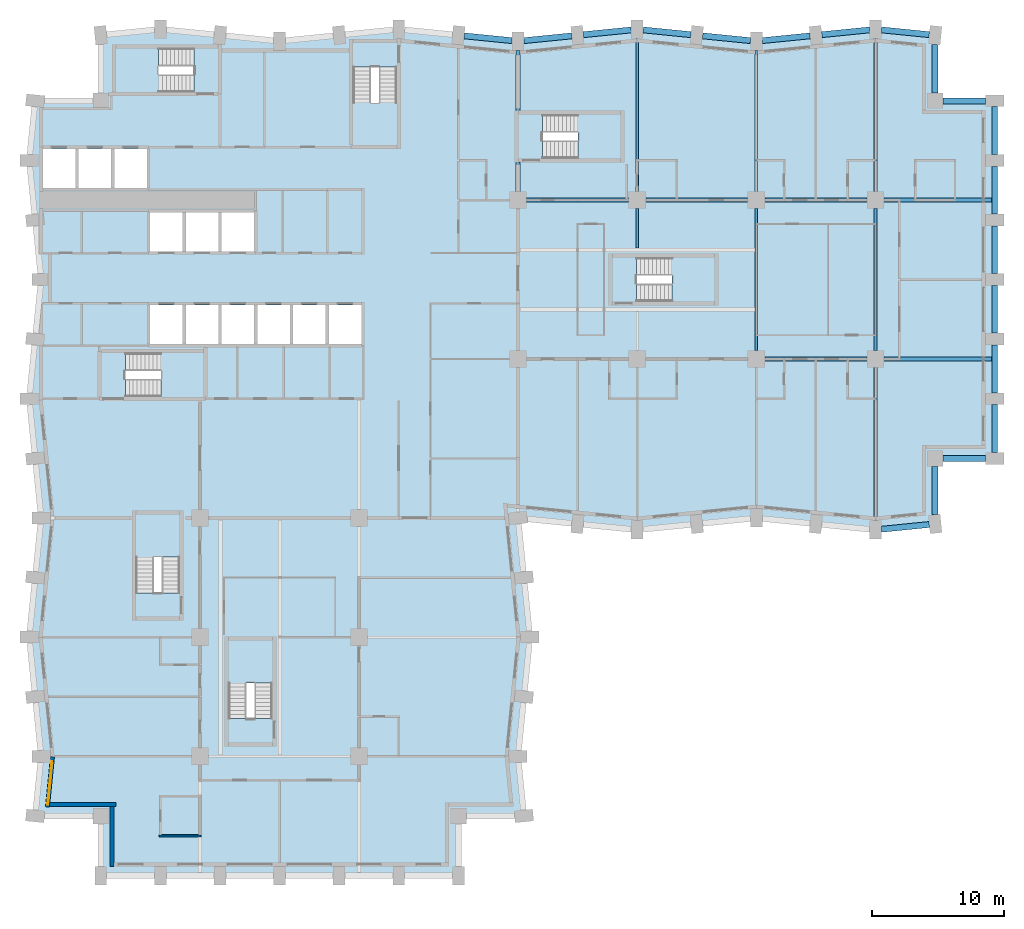
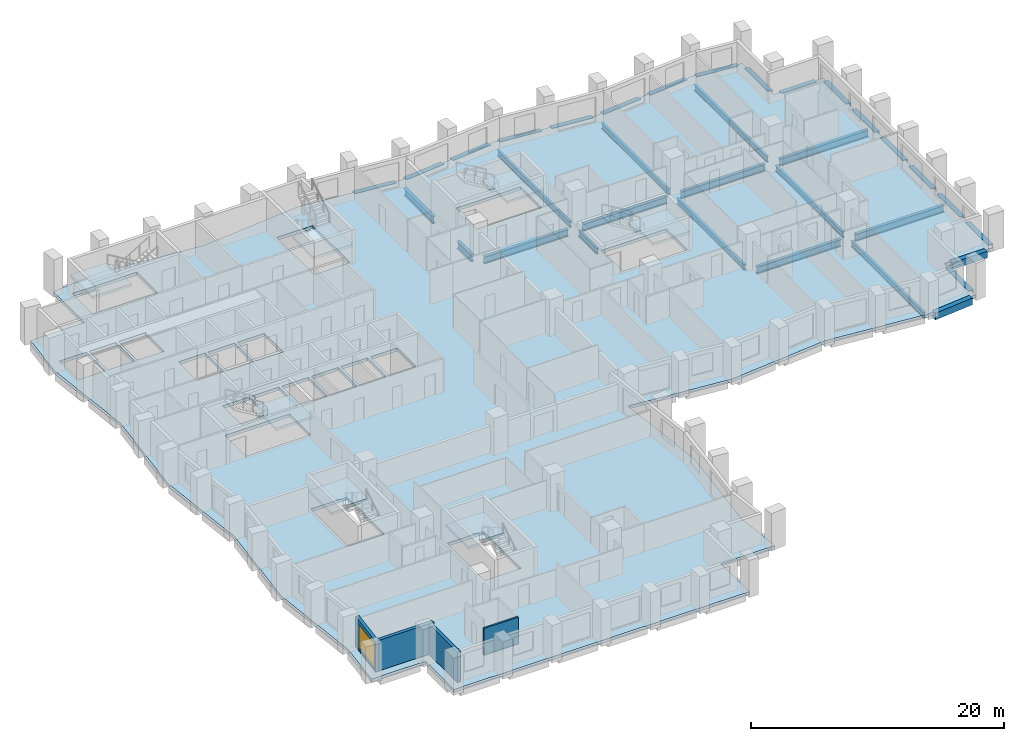
# One storey, part 2 of 13: 34 beams, 8 slabs, 4 walls, 1 window, 1 opening, 7 elements without a shape of their own.
"""IFC4 building model written with IfcOpenShell, lengths in metres."""

import ifcopenshell
import ifcopenshell.guid

model = None  # the IFC model being written
_history = None  # IfcOwnerHistory: only IFC2X3 demands one
_inside = {}  # id of a spatial element -> (the spatial element, [elements in it])
_under = {}  # id of a project, library or spatial element -> (it, [spatial elements below it])
_declared = {}  # id of a project -> (the project, [libraries it declares])
_typed = {}  # id of a type object -> (the type object, [elements of that type])
_made_of = {}  # id of a material, layer set ... -> (it, [elements and type objects made of it])


def new_model(schema):
    """Start an empty IFC model of exactly this schema.

    Asked for "IFC4X3", IfcOpenShell would pick the latest addendum, in which some entities
    have other attributes; the version numbers below select the first issue.
    IFC2X3 requires an IfcOwnerHistory on every rooted entity: one is made here for all.
    """
    global model, _history
    if schema == "IFC4X3":
        model = ifcopenshell.file(schema_version=(4, 3, 0, 0))
    else:
        model = ifcopenshell.file(schema=schema)
    _inside.clear()
    _under.clear()
    _declared.clear()
    _typed.clear()
    _made_of.clear()
    _history = None
    if model.schema == "IFC2X3":
        org = make("IfcOrganization", Name="unknown")
        user = make(
            "IfcPersonAndOrganization",
            ThePerson=make("IfcPerson", FamilyName="unknown"),
            TheOrganization=org,
        )
        app = make(
            "IfcApplication",
            ApplicationDeveloper=org,
            Version="unknown",
            ApplicationFullName="unknown",
            ApplicationIdentifier="unknown",
        )
        _history = make(
            "IfcOwnerHistory",
            OwningUser=user,
            OwningApplication=app,
            ChangeAction="ADDED",
            CreationDate=0,
        )
    return model


def make(cls, **values):
    """One entity of the class cls with the attributes given. An attribute that is None is left unset."""
    return model.create_entity(
        cls, **{name: value for name, value in values.items() if value is not None}
    )


def rooted(cls, **values):
    """An entity with a GlobalId (a new one), such as an element, a storey or a relation."""
    return make(cls, GlobalId=ifcopenshell.guid.new(), OwnerHistory=_history, **values)


def si_unit(unit_type, name, prefix=None):
    """IfcSIUnit, for example si_unit("LENGTHUNIT", "METRE", prefix="MILLI")."""
    return make("IfcSIUnit", UnitType=unit_type, Prefix=prefix, Name=name)


def assignment(units):
    """IfcUnitAssignment: the units of a project."""
    return None if units is None else make("IfcUnitAssignment", Units=units)


def point(xyz):
    """IfcCartesianPoint."""
    return None if xyz is None else make("IfcCartesianPoint", Coordinates=xyz)


def direction(xyz):
    """IfcDirection."""
    return None if xyz is None else make("IfcDirection", DirectionRatios=xyz)


def frame(location, z_axis=None, x_axis=None):
    """IfcAxis2Placement3D, a coordinate frame: its origin and axes. An axis left out is left unset."""
    return make(
        "IfcAxis2Placement3D",
        Location=point(location),
        Axis=direction(z_axis),
        RefDirection=direction(x_axis),
    )


def frame_2d(location, x_axis=None):
    """IfcAxis2Placement2D, a coordinate frame in the plane: its origin and x axis."""
    return make(
        "IfcAxis2Placement2D", Location=point(location), RefDirection=direction(x_axis)
    )


def origin():
    """The frame at (0, 0, 0) with its axes left unset."""
    return frame((0.0, 0.0, 0.0))


def origin_2d():
    """The frame at (0, 0) in the plane with its x axis left unset."""
    return frame_2d((0.0, 0.0))


def place(relative_to, where):
    """IfcLocalPlacement: puts the frame where relative to a parent placement (None: the world)."""
    return make(
        "IfcLocalPlacement", PlacementRelTo=relative_to, RelativePlacement=where
    )


def context(
    kind, dimensions, precision=None, world=None, true_north=None, identifier=None
):
    """IfcGeometricRepresentationContext, for example the 3D "Model" context."""
    return make(
        "IfcGeometricRepresentationContext",
        ContextIdentifier=identifier,
        ContextType=kind,
        CoordinateSpaceDimension=dimensions,
        Precision=precision,
        WorldCoordinateSystem=world,
        TrueNorth=true_north,
    )


def subcontext(parent, identifier, kind, view, scale=None):
    """IfcGeometricRepresentationSubContext, for example "Body" below "Model"."""
    return make(
        "IfcGeometricRepresentationSubContext",
        ContextIdentifier=identifier,
        ContextType=kind,
        ParentContext=parent,
        TargetScale=scale,
        TargetView=view,
    )


def project(units=None, contexts=None):
    """IfcProject with its units and contexts."""
    return rooted(
        "IfcProject",
        Name="project",
        RepresentationContexts=contexts,
        UnitsInContext=assignment(units),
    )


def spatial(cls, under=None, at=None, **own):
    """A site, building, storey or space (cls), placed at a placement, below another one or the project."""
    s = rooted(cls, ObjectPlacement=at, **own)
    if under is not None:
        _under.setdefault(under.id(), (under, []))[1].append(s)
    return s


def polyline(points):
    """IfcPolyline through the points."""
    return make("IfcPolyline", Points=[point(p) for p in points])


def profile(cls, at=None, kind="AREA", **sizes):
    """A parametric profile (cls). Its sizes go by their IFC names, for example OverallWidth=200.0."""
    return make(cls, ProfileType=kind, Position=at, **sizes)


def rectangle(**sizes):
    """IfcRectangleProfileDef."""
    return profile("IfcRectangleProfileDef", **sizes)


def i_section(**sizes):
    """IfcIShapeProfileDef."""
    return profile("IfcIShapeProfileDef", **sizes)


def outline(outer, holes=None, kind="AREA"):
    """IfcArbitraryClosedProfileDef: a profile drawn as a closed curve; with holes, ...WithVoids."""
    if holes is None:
        return make("IfcArbitraryClosedProfileDef", ProfileType=kind, OuterCurve=outer)
    return make(
        "IfcArbitraryProfileDefWithVoids",
        ProfileType=kind,
        OuterCurve=outer,
        InnerCurves=holes,
    )


def extrude(swept, where, along, depth):
    """IfcExtrudedAreaSolid: the profile swept, set in the frame where, extruded along a direction by depth."""
    return make(
        "IfcExtrudedAreaSolid",
        SweptArea=swept,
        Position=where,
        ExtrudedDirection=direction(along),
        Depth=depth,
    )


def shape(context_of_items, identifier, shape_type, items):
    """IfcShapeRepresentation: the items that make up one representation, for example the "Body"."""
    return make(
        "IfcShapeRepresentation",
        ContextOfItems=context_of_items,
        RepresentationIdentifier=identifier,
        RepresentationType=shape_type,
        Items=items,
    )


def material(Name=None, Category=None):
    """IfcMaterial."""
    return make("IfcMaterial", Name=Name, Category=Category)


def layer(
    of_material, thickness, ventilated=None, Name=None, Category=None, Priority=None
):
    """IfcMaterialLayer: one layer of a wall or slab, of a material (None: an air gap)."""
    return make(
        "IfcMaterialLayer",
        Material=of_material,
        LayerThickness=thickness,
        IsVentilated=ventilated,
        Name=Name,
        Category=Category,
        Priority=Priority,
    )


def layer_set(layers, Name=None):
    """IfcMaterialLayerSet."""
    return make("IfcMaterialLayerSet", MaterialLayers=layers, LayerSetName=Name)


def material_profile(
    of_material, cross_section, Name=None, Category=None, Priority=None
):
    """IfcMaterialProfile: a cross section and its material."""
    return make(
        "IfcMaterialProfile",
        Name=Name,
        Material=of_material,
        Profile=cross_section,
        Priority=Priority,
        Category=Category,
    )


def profile_set(profiles, Name=None, composite=None):
    """IfcMaterialProfileSet."""
    return make(
        "IfcMaterialProfileSet",
        Name=Name,
        MaterialProfiles=profiles,
        CompositeProfile=composite,
    )


def made_of(thing, what):
    """Note that an element or type object is made of a material, layer set ...; save() writes the relation."""
    if what is not None:
        _made_of.setdefault(what.id(), (what, []))[1].append(thing)
    return thing


def type_object(cls, material=None, **own):
    """A type object (cls), such as IfcWallType, which elements share."""
    return made_of(rooted(cls, **own), material)


def element(
    cls,
    number,
    at=None,
    inside=None,
    cuts=None,
    type_object=None,
    material=None,
    context=None,
    identifier="Body",
    shape_type=None,
    held_by="IfcProductDefinitionShape",
    body=None,
    shapes=None,
    **own,
):
    """One element of the class cls, such as IfcWall. Its Tag is "e" and its number.

    at: its placement. inside: the storey or other place that contains it. cuts: it is an
    opening in that element (IfcRelVoidsElement). A single representation is given by context,
    identifier, shape_type and body (its items); several are given by shapes. held_by: the class
    of the entity that holds the representations. save() writes the other relations.
    """
    e = rooted(cls, Tag="e%d" % number, ObjectPlacement=at, **own)
    if body is not None:
        shapes = [shape(context, identifier, shape_type, body)]
    if shapes is not None:
        e.Representation = make(held_by, Representations=shapes)
    if inside is not None:
        _inside.setdefault(inside.id(), (inside, []))[1].append(e)
    if cuts is not None:
        rooted(
            "IfcRelVoidsElement", RelatingBuildingElement=cuts, RelatedOpeningElement=e
        )
    if type_object is not None:
        _typed.setdefault(type_object.id(), (type_object, []))[1].append(e)
    return made_of(e, material)


def fill(opening, filler):
    """IfcRelFillsElement: the door or window that sits in an opening."""
    return rooted(
        "IfcRelFillsElement",
        RelatingOpeningElement=opening,
        RelatedBuildingElement=filler,
    )


def aggregate(whole, parts):
    """IfcRelAggregates: a whole, such as a stair, and the parts it consists of."""
    return rooted("IfcRelAggregates", RelatingObject=whole, RelatedObjects=parts)


def save(model, path):
    """Write the relations noted so far, then the file.

    IfcRelAggregates (storeys below a building ...), IfcRelContainedInSpatialStructure (elements
    in a storey), IfcRelDefinesByType, IfcRelAssociatesMaterial and IfcRelDeclares: one each for
    every whole, place, type object, material and project.
    """
    for whole, parts in _under.values():
        aggregate(whole, parts)
    for where, things in _inside.values():
        rooted(
            "IfcRelContainedInSpatialStructure",
            RelatedElements=things,
            RelatingStructure=where,
        )
    for kind, things in _typed.values():
        rooted("IfcRelDefinesByType", RelatedObjects=things, RelatingType=kind)
    for what, things in _made_of.values():
        rooted("IfcRelAssociatesMaterial", RelatedObjects=things, RelatingMaterial=what)
    for by, libraries in _declared.values():
        rooted("IfcRelDeclares", RelatingContext=by, RelatedDefinitions=libraries)
    model.write(path)


model = new_model("IFC4")

# Units and contexts
model_context = context("Model", 3, precision=1e-05, world=origin(), true_north=direction((0.0, 1.0)))
body_context = subcontext(model_context, "Body", "Model", "MODEL_VIEW")
ifc_project = project(units=[si_unit("LENGTHUNIT", "METRE"), si_unit("AREAUNIT", "SQUARE_METRE"), si_unit("VOLUMEUNIT", "CUBIC_METRE"), si_unit("PLANEANGLEUNIT", "RADIAN"), si_unit("MASSUNIT", "GRAM", prefix="KILO")], contexts=[model_context])

# Site, building, storey
site_placement = place(None, origin())
site = spatial("IfcSite", under=ifc_project, at=site_placement, CompositionType="ELEMENT")
building_placement = place(site_placement, origin())
building = spatial("IfcBuilding", under=site, at=building_placement, Name="Brondeck Convention Tower", CompositionType="ELEMENT")
storey_placement = place(building_placement, frame((0.0, 0.0, 73.5)))
storey = spatial("IfcBuildingStorey", under=building, at=storey_placement, Name="L16", CompositionType="ELEMENT", Elevation=73.5)

# Beams
ifc_material_1 = material(Name="Steel S355", Category="steel")
ifc_material_profile_1 = material_profile(ifc_material_1, i_section(OverallWidth=0.2099609375, OverallDepth=0.550048828125, WebThickness=0.010986328125, FlangeThickness=0.01708984375, FilletRadius=0.02392578125, at=origin_2d()), Name="IPE 550")
ifc_profile_set_1 = profile_set([ifc_material_profile_1], Name="Steel S355")
beam_type_1 = type_object("IfcBeamType", Name="Floor beam IPE 550", PredefinedType="BEAM", material=ifc_profile_set_1)
beam_1_placement = place(storey_placement, frame((45.0, 51.64990234375, -0.574951171875), z_axis=(0.0, 1.0, 0.0), x_axis=(-1.0, 0.0, 0.0)))
element("IfcBeam", 1, at=beam_1_placement, inside=storey, type_object=beam_type_1, Name="STR-FB-L16-002", PredefinedType="BEAM", context=body_context, shape_type="SweptSolid", body=[
    extrude(i_section(OverallWidth=0.2099609375, OverallDepth=0.550048828125, WebThickness=0.010986328125, FlangeThickness=0.01708984375, FilletRadius=0.02392578125, at=origin_2d()), origin(), (0.0, 0.0, 1.0), 11.550048828125),
])
beam_2_placement = place(storey_placement, frame((54.0, 39.64990234375, -0.574951171875), z_axis=(0.0, 1.0, 0.0), x_axis=(-1.0, 0.0, 0.0)))
element("IfcBeam", 2, at=beam_2_placement, inside=storey, type_object=beam_type_1, Name="STR-FB-L16-004", PredefinedType="BEAM", context=body_context, shape_type="SweptSolid", body=[
    extrude(i_section(OverallWidth=0.2099609375, OverallDepth=0.550048828125, WebThickness=0.010986328125, FlangeThickness=0.01708984375, FilletRadius=0.02392578125, at=origin_2d()), origin(), (0.0, 0.0, 1.0), 10.7001953125),
])
beam_3_placement = place(storey_placement, frame((54.0, 51.64990234375, -0.574951171875), z_axis=(0.0, 1.0, 0.0), x_axis=(-1.0, 0.0, 0.0)))
element("IfcBeam", 3, at=beam_3_placement, inside=storey, type_object=beam_type_1, Name="STR-FB-L16-005", PredefinedType="BEAM", context=body_context, shape_type="SweptSolid", body=[
    extrude(i_section(OverallWidth=0.2099609375, OverallDepth=0.550048828125, WebThickness=0.010986328125, FlangeThickness=0.01708984375, FilletRadius=0.02392578125, at=origin_2d()), origin(), (0.0, 0.0, 1.0), 10.650146484375),
])
beam_4_placement = place(storey_placement, frame((63.0, 26.800048828125, -0.574951171875), z_axis=(0.0, 1.0, 0.0), x_axis=(-1.0, 0.0, 0.0)))
element("IfcBeam", 4, at=beam_4_placement, inside=storey, type_object=beam_type_1, Name="STR-FB-L16-006", PredefinedType="BEAM", context=body_context, shape_type="SweptSolid", body=[
    extrude(i_section(OverallWidth=0.2099609375, OverallDepth=0.550048828125, WebThickness=0.010986328125, FlangeThickness=0.01708984375, FilletRadius=0.02392578125, at=origin_2d()), origin(), (0.0, 0.0, 1.0), 11.550048828125),
])
beam_5_placement = place(storey_placement, frame((63.0, 39.64990234375, -0.574951171875), z_axis=(0.0, 1.0, 0.0), x_axis=(-1.0, 0.0, 0.0)))
element("IfcBeam", 5, at=beam_5_placement, inside=storey, type_object=beam_type_1, Name="STR-FB-L16-007", PredefinedType="BEAM", context=body_context, shape_type="SweptSolid", body=[
    extrude(i_section(OverallWidth=0.2099609375, OverallDepth=0.550048828125, WebThickness=0.010986328125, FlangeThickness=0.01708984375, FilletRadius=0.02392578125, at=origin_2d()), origin(), (0.0, 0.0, 1.0), 10.7001953125),
])
beam_6_placement = place(storey_placement, frame((63.0, 51.64990234375, -0.574951171875), z_axis=(0.0, 1.0, 0.0), x_axis=(-1.0, 0.0, 0.0)))
element("IfcBeam", 6, at=beam_6_placement, inside=storey, type_object=beam_type_1, Name="STR-FB-L16-008", PredefinedType="BEAM", context=body_context, shape_type="SweptSolid", body=[
    extrude(i_section(OverallWidth=0.2099609375, OverallDepth=0.550048828125, WebThickness=0.010986328125, FlangeThickness=0.01708984375, FilletRadius=0.02392578125, at=origin_2d()), origin(), (0.0, 0.0, 1.0), 11.550048828125),
])
beam_7_placement = place(storey_placement, frame((45.0, 47.39990234375, -0.574951171875), z_axis=(0.0, 1.0, 0.0), x_axis=(-1.0, 0.0, 0.0)))
element("IfcBeam", 7, at=beam_7_placement, inside=storey, type_object=beam_type_1, Name="STR-FB-L16-015", PredefinedType="BEAM", context=body_context, shape_type="SweptSolid", body=[
    extrude(i_section(OverallWidth=0.2099609375, OverallDepth=0.550048828125, WebThickness=0.010986328125, FlangeThickness=0.01708984375, FilletRadius=0.02392578125, at=origin_2d()), origin(), (0.0, 0.0, 1.0), 2.9501953125),
])
ifc_material_profile_2 = material_profile(ifc_material_1, i_section(OverallWidth=0.300048828125, OverallDepth=0.699951171875, WebThickness=0.01708984375, FlangeThickness=0.031982421875, FilletRadius=0.027099609375, at=origin_2d()), Name="HEB 700")
ifc_profile_set_2 = profile_set([ifc_material_profile_2], Name="Steel S355")
beam_type_2 = type_object("IfcBeamType", Name="Girder HEB 700", PredefinedType="BEAM", material=ifc_profile_set_2)
beam_8_placement = place(storey_placement, frame((54.64990234375, 39.0, -0.64990234375), z_axis=(1.0, 0.0, 0.0), x_axis=(0.0, 1.0, 0.0)))
element("IfcBeam", 8, at=beam_8_placement, inside=storey, type_object=beam_type_2, Name="STR-GR-L16-003", PredefinedType="BEAM", context=body_context, shape_type="SweptSolid", body=[
    extrude(i_section(OverallWidth=0.300048828125, OverallDepth=0.699951171875, WebThickness=0.01708984375, FlangeThickness=0.031982421875, FilletRadius=0.027099609375, at=origin_2d()), origin(), (0.0, 0.0, 1.0), 7.7001953125),
])
beam_9_placement = place(storey_placement, frame((63.64990234375, 39.0, -0.64990234375), z_axis=(1.0, 0.0, 0.0), x_axis=(0.0, 1.0, 0.0)))
element("IfcBeam", 9, at=beam_9_placement, inside=storey, type_object=beam_type_2, Name="STR-GR-L16-004", PredefinedType="BEAM", context=body_context, shape_type="SweptSolid", body=[
    extrude(i_section(OverallWidth=0.300048828125, OverallDepth=0.699951171875, WebThickness=0.01708984375, FlangeThickness=0.031982421875, FilletRadius=0.027099609375, at=origin_2d()), origin(), (0.0, 0.0, 1.0), 8.125),
])
for number, where, z_axis, x_axis, name in (
    (10, (36.64990234375, 51.0, -0.64990234375), (1.0, 0.0, 0.0), (0.0, 1.0, 0.0), "STR-GR-L16-005"),
    (11, (45.64990234375, 51.0, -0.64990234375), (1.0, 0.0, 0.0), (0.0, 1.0, 0.0), "STR-GR-L16-006"),
    (12, (54.64990234375, 51.0, -0.64990234375), (1.0, 0.0, 0.0), (0.0, 1.0, 0.0), "STR-GR-L16-007"),
):
    element("IfcBeam", number, at=place(storey_placement, frame(where, z_axis=z_axis, x_axis=x_axis)), inside=storey, type_object=beam_type_2, Name=name, PredefinedType="BEAM", context=body_context, shape_type="SweptSolid", body=[
        extrude(i_section(OverallWidth=0.300048828125, OverallDepth=0.699951171875, WebThickness=0.01708984375, FlangeThickness=0.031982421875, FilletRadius=0.027099609375, at=origin_2d()), origin(), (0.0, 0.0, 1.0), 7.7001953125),
    ])
beam_10_placement = place(storey_placement, frame((63.64990234375, 51.0, -0.64990234375), z_axis=(1.0, 0.0, 0.0), x_axis=(0.0, 1.0, 0.0)))
element("IfcBeam", 13, at=beam_10_placement, inside=storey, type_object=beam_type_2, Name="STR-GR-L16-008", PredefinedType="BEAM", context=body_context, shape_type="SweptSolid", body=[
    extrude(i_section(OverallWidth=0.300048828125, OverallDepth=0.699951171875, WebThickness=0.01708984375, FlangeThickness=0.031982421875, FilletRadius=0.027099609375, at=origin_2d()), origin(), (0.0, 0.0, 1.0), 8.125),
])
beam_11_placement = place(storey_placement, frame((36.0, 51.64990234375, -0.64990234375), z_axis=(0.0, 1.0, 0.0), x_axis=(-1.0, 0.0, 0.0)))
element("IfcBeam", 14, at=beam_11_placement, inside=storey, type_object=beam_type_2, Name="STR-GR-L16-011", PredefinedType="BEAM", context=body_context, shape_type="SweptSolid", body=[
    extrude(i_section(OverallWidth=0.300048828125, OverallDepth=0.699951171875, WebThickness=0.01708984375, FlangeThickness=0.031982421875, FilletRadius=0.027099609375, at=origin_2d()), origin(), (0.0, 0.0, 1.0), 2.22998046875),
])
beam_12_placement = place(storey_placement, frame((36.0, 57.719970703125, -0.64990234375), z_axis=(0.0, 1.0, 0.0), x_axis=(-1.0, 0.0, 0.0)))
element("IfcBeam", 15, at=beam_12_placement, inside=storey, type_object=beam_type_2, Name="STR-GR-L16-012", PredefinedType="BEAM", context=body_context, shape_type="SweptSolid", body=[
    extrude(i_section(OverallWidth=0.300048828125, OverallDepth=0.699951171875, WebThickness=0.01708984375, FlangeThickness=0.031982421875, FilletRadius=0.027099609375, at=origin_2d()), origin(), (0.0, 0.0, 1.0), 4.580078125),
])
ifc_material_2 = material(Name="Concrete C80/95", Category="concrete")
ifc_material_profile_3 = material_profile(ifc_material_2, rectangle(XDim=0.449951171875, YDim=0.64990234375, at=origin_2d()), Name="Precast spandrel 450x650 Concrete C80/95")
ifc_profile_set_3 = profile_set([ifc_material_profile_3], Name="Concrete C80/95")
beam_type_3 = type_object("IfcBeamType", Name="Precast spandrel 450x650 Concrete C80/95", PredefinedType="SPANDREL", material=ifc_profile_set_3)
beam_13_placement = place(storey_placement, frame((63.449951171875, 26.14501953125, -0.324951171875), z_axis=(0.995040528141, 0.099470334057, 0.0), x_axis=(-0.099470334057, 0.995040528141, 0.0)))
element("IfcBeam", 16, at=beam_13_placement, inside=storey, type_object=beam_type_3, Name="STR-SP-L16-020", PredefinedType="SPANDREL", context=body_context, shape_type="SweptSolid", body=[
    extrude(rectangle(XDim=0.449951171875, YDim=0.64990234375, at=origin_2d()), origin(), (0.0, 0.0, 1.0), 3.620361328125),
])
beam_14_placement = place(storey_placement, frame((67.5, 27.25341796875, -0.324951171875), z_axis=(0.0, 1.0, 0.0), x_axis=(-1.0, 0.0, 0.0)))
element("IfcBeam", 17, at=beam_14_placement, inside=storey, type_object=beam_type_3, Name="STR-SP-L16-021", PredefinedType="SPANDREL", context=body_context, shape_type="SweptSolid", body=[
    extrude(rectangle(XDim=0.449951171875, YDim=0.64990234375, at=origin_2d()), origin(), (0.0, 0.0, 1.0), 3.646484375),
])
beam_15_placement = place(storey_placement, frame((68.10009765625, 31.5, -0.324951171875), z_axis=(1.0, 0.0, 0.0), x_axis=(0.0, 1.0, 0.0)))
element("IfcBeam", 18, at=beam_15_placement, inside=storey, type_object=beam_type_3, Name="STR-SP-L16-022", PredefinedType="SPANDREL", context=body_context, shape_type="SweptSolid", body=[
    extrude(rectangle(XDim=0.449951171875, YDim=0.64990234375, at=origin_2d()), origin(), (0.0, 0.0, 1.0), 3.199951171875),
])
for number, where, z_axis, x_axis, name in (
    (19, (72.0, 31.949951171875, -0.324951171875), (0.0, 1.0, 0.0), (-1.0, 0.0, 0.0), "STR-SP-L16-023"),
    (20, (72.0, 36.449951171875, -0.324951171875), (0.0, 1.0, 0.0), (-1.0, 0.0, 0.0), "STR-SP-L16-024"),
    (21, (72.0, 40.949951171875, -0.324951171875), (0.0, 1.0, 0.0), (-1.0, 0.0, 0.0), "STR-SP-L16-025"),
    (22, (72.0, 45.449951171875, -0.324951171875), (0.0, 1.0, 0.0), (-1.0, 0.0, 0.0), "STR-SP-L16-026"),
    (23, (72.0, 49.949951171875, -0.324951171875), (0.0, 1.0, 0.0), (-1.0, 0.0, 0.0), "STR-SP-L16-027"),
    (24, (72.0, 54.449951171875, -0.324951171875), (0.0, 1.0, 0.0), (-1.0, 0.0, 0.0), "STR-SP-L16-028"),
):
    element("IfcBeam", number, at=place(storey_placement, frame(where, z_axis=z_axis, x_axis=x_axis)), inside=storey, type_object=beam_type_3, Name=name, PredefinedType="SPANDREL", context=body_context, shape_type="SweptSolid", body=[
        extrude(rectangle(XDim=0.449951171875, YDim=0.64990234375, at=origin_2d()), origin(), (0.0, 0.0, 1.0), 3.60009765625),
    ])
beam_16_placement = place(storey_placement, frame((71.300048828125, 58.5, -0.324951171875), z_axis=(-1.0, 0.0, 0.0), x_axis=(0.0, -1.0, 0.0)))
element("IfcBeam", 25, at=beam_16_placement, inside=storey, type_object=beam_type_3, Name="STR-SP-L16-029", PredefinedType="SPANDREL", context=body_context, shape_type="SweptSolid", body=[
    extrude(rectangle(XDim=0.449951171875, YDim=0.64990234375, at=origin_2d()), origin(), (0.0, 0.0, 1.0), 3.199951171875),
])
beam_17_placement = place(storey_placement, frame((67.5, 59.10009765625, -0.324951171875), z_axis=(0.0, 1.0, 0.0), x_axis=(-1.0, 0.0, 0.0)))
element("IfcBeam", 26, at=beam_17_placement, inside=storey, type_object=beam_type_3, Name="STR-SP-L16-030", PredefinedType="SPANDREL", context=body_context, shape_type="SweptSolid", body=[
    extrude(rectangle(XDim=0.449951171875, YDim=0.64990234375, at=origin_2d()), origin(), (0.0, 0.0, 1.0), 3.646484375),
])
for number, where, z_axis, x_axis, name in (
    (27, (67.05224609375, 63.494873046875, -0.324951171875), (-0.995040528141, 0.099470334057, 0.0), (-0.099470334057, -0.995040528141, 0.0), "STR-SP-L16-031"),
    (28, (62.550048828125, 63.85498046875, -0.324951171875), (-0.995040528141, -0.099470334057, 0.0), (0.099470334057, -0.995040528141, 0.0), "STR-SP-L16-032"),
    (29, (58.05224609375, 63.4052734375, -0.324951171875), (-0.995033851182, -0.099537103649, 0.0), (0.099537103649, -0.995033851182, 0.0), "STR-SP-L16-033"),
    (30, (53.550048828125, 63.044921875, -0.324951171875), (-0.995033851182, 0.099537103649, 0.0), (-0.099537103649, -0.995033851182, 0.0), "STR-SP-L16-034"),
    (31, (49.05224609375, 63.494873046875, -0.324951171875), (-0.995040528141, 0.099470334057, 0.0), (-0.099470334057, -0.995040528141, 0.0), "STR-SP-L16-035"),
    (32, (44.550048828125, 63.85498046875, -0.324951171875), (-0.995040528141, -0.099470334057, 0.0), (0.099470334057, -0.995040528141, 0.0), "STR-SP-L16-036"),
    (33, (40.05224609375, 63.4052734375, -0.324951171875), (-0.995033851182, -0.099537103649, 0.0), (0.099537103649, -0.995033851182, 0.0), "STR-SP-L16-037"),
    (34, (35.550048828125, 63.044921875, -0.324951171875), (-0.995033851182, 0.099537103649, 0.0), (-0.099537103649, -0.995033851182, 0.0), "STR-SP-L16-038"),
):
    element("IfcBeam", number, at=place(storey_placement, frame(where, z_axis=z_axis, x_axis=x_axis)), inside=storey, type_object=beam_type_3, Name=name, PredefinedType="SPANDREL", context=body_context, shape_type="SweptSolid", body=[
        extrude(rectangle(XDim=0.449951171875, YDim=0.64990234375, at=origin_2d()), origin(), (0.0, 0.0, 1.0), 3.620361328125),
    ])

# Slab
ifc_material_3 = material(Name="Concrete C35/45", Category="concrete")
ifc_layer_1 = layer(ifc_material_3, 0.300048828125)
ifc_layer_set_1 = layer_set([ifc_layer_1], Name="Composite floor slab 300")
slab_type_1 = type_object("IfcSlabType", Name="Composite floor slab 300", PredefinedType="FLOOR", material=ifc_layer_set_1)
slab_1_placement = place(storey_placement, frame((0.0, 0.0, -0.300048828125)))
element("IfcSlab", 35, at=slab_1_placement, inside=storey, type_object=slab_type_1, Name="STR-SL-L16", PredefinedType="FLOOR", context=body_context, shape_type="SweptSolid", body=[
    extrude(outline(polyline([(4.5, 4.5), (-0.449951171875, 4.5), (0.0, 9.0), (-0.89990234375, 18.0), (0.0, 27.0), (-0.89990234375, 36.0), (0.0, 45.0), (-0.89990234375, 54.0), (-0.449951171875, 58.5), (4.5, 58.5), (4.5, 63.449951171875), (9.0, 63.89990234375), (18.0, 63.0), (27.0, 63.89990234375), (36.0, 63.0), (45.0, 63.89990234375), (54.0, 63.0), (63.0, 63.89990234375), (67.5, 63.449951171875), (67.5, 58.5), (72.0, 58.5), (72.0, 31.5), (67.5, 31.5), (67.5, 26.550048828125), (63.0, 26.10009765625), (54.0, 27.0), (45.0, 26.10009765625), (36.0, 27.0), (36.89990234375, 18.0), (36.0, 9.0), (36.449951171875, 4.5), (31.5, 4.5), (31.5, 0.0), (4.5, 0.0), (4.5, 4.5)]), holes=[polyline([(10.447998046875, 27.248046875), (7.152099609375, 27.248046875), (7.152099609375, 21.35205078125), (10.447998046875, 21.35205078125), (10.447998046875, 27.248046875)]), polyline([(12.248046875, 36.152099609375), (12.248046875, 39.447998046875), (6.35205078125, 39.447998046875), (6.35205078125, 36.152099609375), (12.248046875, 36.152099609375)]), polyline([(10.675048828125, 40.125), (10.675048828125, 43.074951171875), (8.22509765625, 43.074951171875), (8.22509765625, 40.125), (10.675048828125, 40.125)]), polyline([(13.375, 40.125), (13.375, 43.074951171875), (10.925048828125, 43.074951171875), (10.925048828125, 40.125), (13.375, 40.125)]), polyline([(10.675048828125, 47.125), (10.675048828125, 50.074951171875), (8.22509765625, 50.074951171875), (8.22509765625, 47.125), (10.675048828125, 47.125)]), polyline([(13.375, 47.125), (13.375, 50.074951171875), (10.925048828125, 50.074951171875), (10.925048828125, 47.125), (13.375, 47.125)]), polyline([(2.574951171875, 51.925048828125), (2.574951171875, 54.875), (0.125, 54.875), (0.125, 51.925048828125), (2.574951171875, 51.925048828125)]), polyline([(2.824951171875, 51.925048828125), (5.27490234375, 51.925048828125), (5.27490234375, 54.875), (2.824951171875, 54.875), (2.824951171875, 51.925048828125)]), polyline([(5.52490234375, 51.925048828125), (7.97509765625, 51.925048828125), (7.97509765625, 54.875), (5.52490234375, 54.875), (5.52490234375, 51.925048828125)]), polyline([(5.652099609375, 62.447998046875), (5.652099609375, 59.152099609375), (11.548095703125, 59.152099609375), (11.548095703125, 62.447998046875), (5.652099609375, 62.447998046875)]), polyline([(17.447998046875, 17.748046875), (14.152099609375, 17.748046875), (14.152099609375, 11.85205078125), (17.447998046875, 11.85205078125), (17.447998046875, 17.748046875)]), polyline([(16.074951171875, 40.125), (16.074951171875, 43.074951171875), (13.625, 43.074951171875), (13.625, 40.125), (16.074951171875, 40.125)]), polyline([(16.324951171875, 40.125), (18.77490234375, 40.125), (18.77490234375, 43.074951171875), (16.324951171875, 43.074951171875), (16.324951171875, 40.125)]), polyline([(19.02490234375, 40.125), (21.47509765625, 40.125), (21.47509765625, 43.074951171875), (19.02490234375, 43.074951171875), (19.02490234375, 40.125)]), polyline([(24.175048828125, 40.125), (24.175048828125, 43.074951171875), (21.72509765625, 43.074951171875), (21.72509765625, 40.125), (24.175048828125, 40.125)]), polyline([(50.847900390625, 43.35205078125), (50.847900390625, 46.64794921875), (44.951904296875, 46.64794921875), (44.951904296875, 43.35205078125), (50.847900390625, 43.35205078125)]), polyline([(16.074951171875, 47.125), (16.074951171875, 50.074951171875), (13.625, 50.074951171875), (13.625, 47.125), (16.074951171875, 47.125)]), polyline([(37.85205078125, 54.152099609375), (43.748046875, 54.152099609375), (43.748046875, 57.447998046875), (37.85205078125, 57.447998046875), (37.85205078125, 54.152099609375)]), polyline([(23.552001953125, 61.048095703125), (23.552001953125, 55.152099609375), (26.847900390625, 55.152099609375), (26.847900390625, 61.048095703125), (23.552001953125, 61.048095703125)])]), origin(), (0.0, 0.0, 1.0), 0.300048828125),
])

# Stair, slab
ifc_material_4 = material(Name="Precast concrete C50/60", Category="concrete")
stair_type = type_object("IfcStairType", Name="Core stair 20 risers 180.00 mm riser 300 mm going 1350 wide", PredefinedType="HALF_TURN_STAIR", material=ifc_material_4)
stair_1_placement = place(storey_placement, origin())
stair_1 = element("IfcStair", 36, at=stair_1_placement, inside=storey, type_object=stair_type, Name="ST-1 L16 stair", PredefinedType="HALF_TURN_STAIR")
ifc_layer_2 = layer(ifc_material_4, 0.25)
ifc_layer_set_2 = layer_set([ifc_layer_2], Name="Core stair landing 250 Precast concrete C50/60")
slab_type_2 = type_object("IfcSlabType", Name="Core stair landing 250 Precast concrete C50/60", PredefinedType="LANDING", material=ifc_layer_set_2)
slab_2_placement = place(storey_placement, frame((0.0, 0.0, 1.550048828125)))
slab_2 = element("IfcSlab", 37, at=slab_2_placement, type_object=slab_type_2, Name="ST-1 landing 1", PredefinedType="LANDING", context=body_context, shape_type="SweptSolid", body=[
    extrude(outline(polyline([(9.048095703125, 37.5), (9.050048828125, 37.5), (9.050048828125, 38.10009765625), (8.75, 38.10009765625), (8.75, 39.570068359375), (12.3701171875, 39.570068359375), (12.3701171875, 36.030029296875), (9.048095703125, 36.030029296875), (9.048095703125, 37.5)])), origin(), (0.0, 0.0, 1.0), 0.25),
])
aggregate(stair_1, [slab_2])

stair_2_placement = place(storey_placement, origin())
stair_2 = element("IfcStair", 38, at=stair_2_placement, inside=storey, type_object=stair_type, Name="ST-2 L16 stair", PredefinedType="HALF_TURN_STAIR")
slab_3_placement = place(storey_placement, frame((0.0, 0.0, 1.550048828125)))
slab_3 = element("IfcSlab", 39, at=slab_3_placement, type_object=slab_type_2, Name="ST-2 landing 1", PredefinedType="LANDING", context=body_context, shape_type="SweptSolid", body=[
    extrude(outline(polyline([(23.429931640625, 58.35205078125), (24.89990234375, 58.35205078125), (24.89990234375, 58.35009765625), (25.5, 58.35009765625), (25.5, 58.64990234375), (26.969970703125, 58.64990234375), (26.969970703125, 55.030029296875), (23.429931640625, 55.030029296875), (23.429931640625, 58.35205078125)])), origin(), (0.0, 0.0, 1.0), 0.25),
])
aggregate(stair_2, [slab_3])

stair_3_placement = place(storey_placement, origin())
stair_3 = element("IfcStair", 40, at=stair_3_placement, inside=storey, type_object=stair_type, Name="ST-3 L16 stair", PredefinedType="HALF_TURN_STAIR")
slab_4_placement = place(storey_placement, frame((0.0, 0.0, 1.550048828125)))
slab_4 = element("IfcSlab", 41, at=slab_4_placement, type_object=slab_type_2, Name="ST-3 landing 1", PredefinedType="LANDING", context=body_context, shape_type="SweptSolid", body=[
    extrude(outline(polyline([(9.14990234375, 60.5), (9.14990234375, 59.030029296875), (5.530029296875, 59.030029296875), (5.530029296875, 62.570068359375), (8.85205078125, 62.570068359375), (8.85205078125, 61.10009765625), (8.85009765625, 61.10009765625), (8.85009765625, 60.5), (9.14990234375, 60.5)])), origin(), (0.0, 0.0, 1.0), 0.25),
])
aggregate(stair_3, [slab_4])

stair_4_placement = place(storey_placement, origin())
stair_4 = element("IfcStair", 42, at=stair_4_placement, inside=storey, type_object=stair_type, Name="ST-AE L16 stair", PredefinedType="HALF_TURN_STAIR")
slab_5_placement = place(storey_placement, frame((0.0, 0.0, 1.550048828125)))
slab_5 = element("IfcSlab", 43, at=slab_5_placement, type_object=slab_type_2, Name="ST-AE landing 1", PredefinedType="LANDING", context=body_context, shape_type="SweptSolid", body=[
    extrude(outline(polyline([(40.548095703125, 55.5), (40.550048828125, 55.5), (40.550048828125, 56.10009765625), (40.25, 56.10009765625), (40.25, 57.570068359375), (43.8701171875, 57.570068359375), (43.8701171875, 54.030029296875), (40.548095703125, 54.030029296875), (40.548095703125, 55.5)])), origin(), (0.0, 0.0, 1.0), 0.25),
])
aggregate(stair_4, [slab_5])

stair_5_placement = place(storey_placement, origin())
stair_5 = element("IfcStair", 44, at=stair_5_placement, inside=storey, type_object=stair_type, Name="ST-BE L16 stair", PredefinedType="HALF_TURN_STAIR")
slab_6_placement = place(storey_placement, frame((0.0, 0.0, 1.550048828125)))
slab_6 = element("IfcSlab", 45, at=slab_6_placement, type_object=slab_type_2, Name="ST-BE landing 1", PredefinedType="LANDING", context=body_context, shape_type="SweptSolid", body=[
    extrude(outline(polyline([(7.030029296875, 23.75), (7.030029296875, 27.3701171875), (10.570068359375, 27.3701171875), (10.570068359375, 24.048095703125), (9.10009765625, 24.048095703125), (9.10009765625, 24.050048828125), (8.5, 24.050048828125), (8.5, 23.75), (7.030029296875, 23.75)])), origin(), (0.0, 0.0, 1.0), 0.25),
])
aggregate(stair_5, [slab_6])

stair_6_placement = place(storey_placement, origin())
stair_6 = element("IfcStair", 46, at=stair_6_placement, inside=storey, type_object=stair_type, Name="ST-AF L16 stair", PredefinedType="HALF_TURN_STAIR")
slab_7_placement = place(storey_placement, frame((0.0, 0.0, 1.550048828125)))
slab_7 = element("IfcSlab", 47, at=slab_7_placement, type_object=slab_type_2, Name="ST-AF landing 1", PredefinedType="LANDING", context=body_context, shape_type="SweptSolid", body=[
    extrude(outline(polyline([(47.64794921875, 44.699951171875), (47.64990234375, 44.699951171875), (47.64990234375, 45.300048828125), (47.35009765625, 45.300048828125), (47.35009765625, 46.77001953125), (50.969970703125, 46.77001953125), (50.969970703125, 43.22998046875), (47.64794921875, 43.22998046875), (47.64794921875, 44.699951171875)])), origin(), (0.0, 0.0, 1.0), 0.25),
])
aggregate(stair_6, [slab_7])

stair_7_placement = place(storey_placement, origin())
stair_7 = element("IfcStair", 48, at=stair_7_placement, inside=storey, type_object=stair_type, Name="ST-BF L16 stair", PredefinedType="HALF_TURN_STAIR")
slab_8_placement = place(storey_placement, frame((0.0, 0.0, 1.550048828125)))
slab_8 = element("IfcSlab", 49, at=slab_8_placement, type_object=slab_type_2, Name="ST-BF landing 1", PredefinedType="LANDING", context=body_context, shape_type="SweptSolid", body=[
    extrude(outline(polyline([(14.030029296875, 14.25), (14.030029296875, 17.8701171875), (17.570068359375, 17.8701171875), (17.570068359375, 14.548095703125), (16.10009765625, 14.548095703125), (16.10009765625, 14.550048828125), (15.5, 14.550048828125), (15.5, 14.25), (14.030029296875, 14.25)])), origin(), (0.0, 0.0, 1.0), 0.25),
])
aggregate(stair_7, [slab_8])

# Wall, opening, window
ifc_material_5 = material(Name="Precast concrete C50/60 bronze finish", Category="concrete")
ifc_layer_3 = layer(ifc_material_5, 0.070068359375, Name="Bronze precast facing")
ifc_material_6 = material(Name="Mineral wool")
ifc_layer_4 = layer(ifc_material_6, 0.159912109375, Name="Insulation")
ifc_layer_5 = layer(ifc_material_3, 0.070068359375, Name="Backing")
ifc_layer_set_3 = layer_set([ifc_layer_3, ifc_layer_4, ifc_layer_5], Name="External infill wall, precast concrete C50/60 bronze facing")
wall_type_1 = type_object("IfcWallType", Name="External infill wall, precast concrete C50/60 bronze facing", PredefinedType="SOLIDWALL", material=ifc_layer_set_3)
wall_1_placement = place(storey_placement, frame((0.47265625, 5.18505859375, 0.0), z_axis=(0.0, 0.0, 1.0), x_axis=(0.099541845169, 0.995033376857, 0.0)))
wall_1 = element("IfcWall", 50, at=wall_1_placement, inside=storey, type_object=wall_type_1, Name="ENV-EW-L16-P0-B-W-12", PredefinedType="SOLIDWALL", context=body_context, shape_type="SweptSolid", body=[
    extrude(rectangle(XDim=3.803955078125, YDim=0.300048828125, at=frame_2d((1.90185546875, 0.0))), origin(), (0.0, 0.0, 1.0), 2.949951171875),
])
opening_placement = place(wall_1_placement, frame((0.14990234375, 0.0, 0.14990234375)))
opening = element("IfcOpeningElement", 51, at=opening_placement, cuts=wall_1, Name="Opening W9", PredefinedType="OPENING", context=body_context, shape_type="SweptSolid", body=[
    extrude(rectangle(XDim=3.300048828125, YDim=2.39990234375, at=frame_2d((1.64990234375, 1.199951171875))), frame((0.0, 0.159912109375, 0.0), z_axis=(0.0, -1.0, 0.0), x_axis=(1.0, 0.0, 0.0)), (0.0, 0.0, 1.0), 0.320068359375),
])
ifc_material_7 = material(Name="Bronze tinted double glazing", Category="glass")
window_type = type_object("IfcWindowType", Name="Glazed flute window, bronze tinted", PartitioningType="SINGLE_PANEL", PredefinedType="WINDOW", material=ifc_material_7)
window_placement = place(opening_placement, origin())
window = element("IfcWindow", 52, at=window_placement, inside=storey, type_object=window_type, Name="ENV-WN-L16-P0-B-W-12", OverallHeight=2.39990234375, OverallWidth=3.300048828125, PartitioningType="SINGLE_PANEL", PredefinedType="WINDOW", context=body_context, shape_type="SweptSolid", body=[
    extrude(rectangle(XDim=3.300048828125, YDim=2.39990234375, at=frame_2d((1.64990234375, 1.199951171875))), frame((0.0, 0.030029296875, 0.0), z_axis=(0.0, -1.0, 0.0), x_axis=(1.0, 0.0, 0.0)), (0.0, 0.0, 1.0), 0.06005859375),
])
fill(opening, window)

# Walls
wall_2_placement = place(storey_placement, frame((5.64990234375, 5.35009765625, 0.0), z_axis=(0.0, 0.0, 1.0), x_axis=(-1.0, 0.0, 0.0)))
element("IfcWall", 53, at=wall_2_placement, inside=storey, type_object=wall_type_1, Name="ENV-EW-L16-P0-NC-SWB0-01", PredefinedType="SOLIDWALL", context=body_context, shape_type="SweptSolid", body=[
    extrude(rectangle(XDim=5.004638671875, YDim=0.300048828125, at=frame_2d((2.50244140625, 0.0))), origin(), (0.0, 0.0, 1.0), 2.949951171875),
])
wall_3_placement = place(storey_placement, frame((5.35009765625, 0.699951171875, 0.0), z_axis=(0.0, 0.0, 1.0), x_axis=(0.0, 1.0, 0.0)))
element("IfcWall", 54, at=wall_3_placement, inside=storey, type_object=wall_type_1, Name="ENV-EW-L16-P0-NC-SWB0-02", PredefinedType="SOLIDWALL", context=body_context, shape_type="SweptSolid", body=[
    extrude(rectangle(XDim=4.5, YDim=0.300048828125, at=frame_2d((2.25, 0.0))), origin(), (0.0, 0.0, 1.0), 2.949951171875),
])
ifc_material_8 = material(Name="Double gypsum board acoustic wall")
ifc_layer_6 = layer(ifc_material_8, 0.14990234375)
ifc_layer_set_4 = layer_set([ifc_layer_6], Name="Guest room party wall 150")
wall_type_2 = type_object("IfcWallType", Name="Guest room party wall 150", PredefinedType="PARTITIONING", material=ifc_layer_set_4)
wall_4_placement = place(storey_placement, frame((8.925048828125, 3.0, 0.0), z_axis=(0.0, 0.0, 1.0), x_axis=(1.0, 0.0, 0.0)))
element("IfcWall", 55, at=wall_4_placement, inside=storey, type_object=wall_type_2, Name="FLR-L16-W001", PredefinedType="PARTITIONING", context=body_context, shape_type="SweptSolid", body=[
    extrude(rectangle(XDim=3.14990234375, YDim=0.14990234375, at=frame_2d((1.574951171875, 0.0))), origin(), (0.0, 0.0, 1.0), 2.580078125),
])

save(model, "model.ifc")
